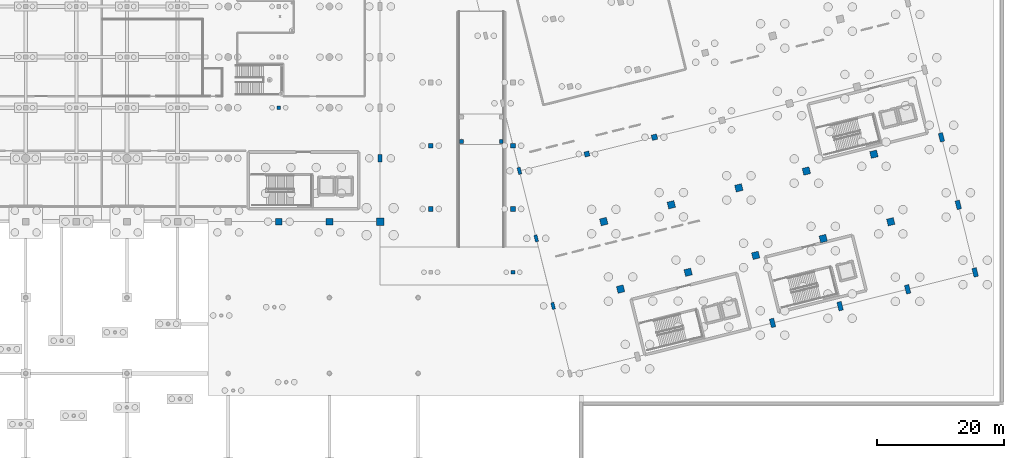
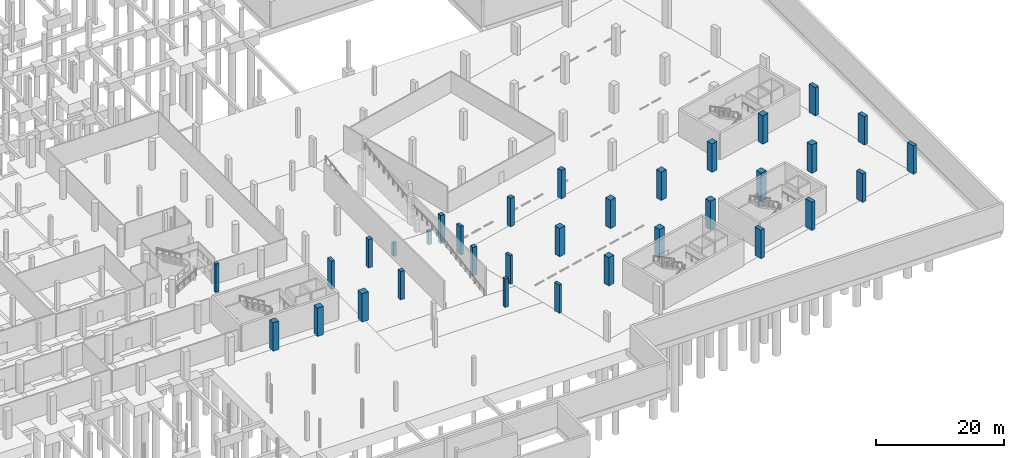
# One storey, part 34 of 65: 33 columns.
"""IFC4 building model written with IfcOpenShell, lengths in metres."""

from ifc_helpers import new_model, si_unit, direction, frame, origin, origin_2d, place, context, subcontext, project, spatial, rectangle, extrude, material, material_profile, profile_set, type_object, element, save


model = new_model("IFC4")

# Units and contexts
model_context = context("Model", 3, precision=1e-05, world=origin(), true_north=direction((0.0, 1.0)))
body_context = subcontext(model_context, "Body", "Model", "MODEL_VIEW")
ifc_project = project(units=[si_unit("LENGTHUNIT", "METRE"), si_unit("AREAUNIT", "SQUARE_METRE"), si_unit("VOLUMEUNIT", "CUBIC_METRE"), si_unit("PLANEANGLEUNIT", "RADIAN"), si_unit("MASSUNIT", "GRAM", prefix="KILO")], contexts=[model_context])

# Site, building, storey
site_placement = place(None, origin())
site = spatial("IfcSite", under=ifc_project, at=site_placement, CompositionType="ELEMENT")
building_placement = place(site_placement, origin())
building = spatial("IfcBuilding", under=site, at=building_placement, Name="Khorjan Park Terminus", CompositionType="ELEMENT")
storey_placement = place(building_placement, frame((0.0, 0.0, -5.4)))
storey = spatial("IfcBuildingStorey", under=building, at=storey_placement, Name="B1", CompositionType="ELEMENT", Elevation=-5.4)

# Columns
ifc_material_1 = material(Name="Concrete C50/60", Category="concrete")
ifc_material_profile_1 = material_profile(ifc_material_1, rectangle(XDim=0.5, YDim=1.1, at=origin_2d()), Name="RC 500x1100")
ifc_profile_set_1 = profile_set([ifc_material_profile_1], Name="Concrete C50/60")
column_type_1 = type_object("IfcColumnType", Name="COL-BL1100E", PredefinedType="COLUMN", material=ifc_profile_set_1)
for number, where, z_axis, x_axis, name in (
    (1, (163.339, 12.673, 0.0), (0.0, 0.0, 1.0), (0.970295726276, 0.2419218956, 0.0), "Structural column C-BL11 (B1 #665)"),
    (2, (160.678, 23.346, 0.0), (0.0, 0.0, 1.0), (0.970295726276, 0.2419218956, 0.0), "Structural column C-BL11 (B1 #669)"),
    (3, (158.017, 34.02, 0.0), (0.0, 0.0, 1.0), (0.970295726276, 0.2419218956, 0.0), "Structural column C-BL11 (B1 #673)"),
):
    element("IfcColumn", number, at=place(storey_placement, frame(where, z_axis=z_axis, x_axis=x_axis)), inside=storey, type_object=column_type_1, Name=name, PredefinedType="COLUMN", context=body_context, shape_type="SweptSolid", body=[
        extrude(rectangle(XDim=0.5, YDim=1.1, at=origin_2d()), origin(), (0.0, 0.0, 1.0), 5.4),
    ])
ifc_material_profile_2 = material_profile(ifc_material_1, rectangle(XDim=0.6, YDim=1.2, at=origin_2d()), Name="RC 600x1200")
ifc_profile_set_2 = profile_set([ifc_material_profile_2], Name="Concrete C50/60")
column_type_2 = type_object("IfcColumnType", Name="COL-BL1200", PredefinedType="COLUMN", material=ifc_profile_set_2)
column_1_placement = place(storey_placement, frame((136.0, 36.0, 0.0), z_axis=(0.0, 0.0, 1.0), x_axis=(1.0, 0.0, 0.0)))
element("IfcColumn", 4, at=column_1_placement, inside=storey, type_object=column_type_2, Name="Structural column C-BL12 (B1 #471)", PredefinedType="COLUMN", context=body_context, shape_type="SweptSolid", body=[
    extrude(rectangle(XDim=0.6, YDim=1.2, at=origin_2d()), origin(), (0.0, 0.0, 1.0), 5.4),
])
ifc_material_profile_3 = material_profile(ifc_material_1, rectangle(XDim=0.7, YDim=1.4, at=origin_2d()), Name="RC 700x1400")
ifc_profile_set_3 = profile_set([ifc_material_profile_3], Name="Concrete C50/60")
column_type_3 = type_object("IfcColumnType", Name="COL-BL1400E", PredefinedType="COLUMN", material=ifc_profile_set_3)
for number, where, z_axis, x_axis, name in (
    (5, (198.02, 9.983, 0.0), (0.0, 0.0, 1.0), (0.970295726276, 0.2419218956, 0.0), "Structural column C-BL14 (B1 #749)"),
    (6, (208.693, 12.645, 0.0), (0.0, 0.0, 1.0), (0.970295726276, 0.2419218956, 0.0), "Structural column C-BL14 (B1 #790)"),
    (7, (219.366, 15.306, 0.0), (0.0, 0.0, 1.0), (0.970295726276, 0.2419218956, 0.0), "Structural column C-BL14 (B1 #836)"),
    (8, (230.04, 17.967, 0.0), (0.0, 0.0, 1.0), (0.970295726276, 0.2419218956, 0.0), "Structural column C-BL14 (B1 #882)"),
    (9, (227.378, 28.64, 0.0), (0.0, 0.0, 1.0), (0.970295726276, 0.2419218956, 0.0), "Structural column C-BL14 (B1 #889)"),
    (10, (224.717, 39.313, 0.0), (0.0, 0.0, 1.0), (0.970295726276, 0.2419218956, 0.0), "Structural column C-BL14 (B1 #896)"),
):
    element("IfcColumn", number, at=place(storey_placement, frame(where, z_axis=z_axis, x_axis=x_axis)), inside=storey, type_object=column_type_3, Name=name, PredefinedType="COLUMN", context=body_context, shape_type="SweptSolid", body=[
        extrude(rectangle(XDim=0.7, YDim=1.4, at=origin_2d()), origin(), (0.0, 0.0, 1.0), 5.4),
    ])
ifc_material_profile_4 = material_profile(ifc_material_1, rectangle(XDim=1.05, YDim=1.05, at=origin_2d()), Name="RC 1050x1050")
ifc_profile_set_4 = profile_set([ifc_material_profile_4], Name="Concrete C50/60")
column_type_4 = type_object("IfcColumnType", Name="COL-RC1050", PredefinedType="COLUMN", material=ifc_profile_set_4)
for number, where, z_axis, x_axis, name in (
    (11, (120.0, 26.0, 0.0), (0.0, 0.0, 1.0), (1.0, 0.0, 0.0), "Structural column C-RC105 (B1 #426)"),
    (12, (128.0, 26.0, 0.0), (0.0, 0.0, 1.0), (1.0, 0.0, 0.0), "Structural column C-RC105 (B1 #441)"),
):
    element("IfcColumn", number, at=place(storey_placement, frame(where, z_axis=z_axis, x_axis=x_axis)), inside=storey, type_object=column_type_4, Name=name, PredefinedType="COLUMN", context=body_context, shape_type="SweptSolid", body=[
        extrude(rectangle(XDim=1.05, YDim=1.05, at=origin_2d()), origin(), (0.0, 0.0, 1.0), 5.4),
    ])
ifc_material_profile_5 = material_profile(ifc_material_1, rectangle(XDim=1.1, YDim=1.1, at=origin_2d()), Name="RC 1100x1100")
ifc_profile_set_5 = profile_set([ifc_material_profile_5], Name="Concrete C50/60")
column_type_5 = type_object("IfcColumnType", Name="COL-RC1100", PredefinedType="COLUMN", material=ifc_profile_set_5)
for number, where, z_axis, x_axis, name in (
    (13, (174.012, 15.334, 0.0), (0.0, 0.0, 1.0), (0.970295726276, 0.2419218956, 0.0), "Structural column C-RC11 (B1 #693)"),
    (14, (171.351, 26.008, 0.0), (0.0, 0.0, 1.0), (0.970295726276, 0.2419218956, 0.0), "Structural column C-RC11 (B1 #700)"),
    (15, (184.685, 17.995, 0.0), (0.0, 0.0, 1.0), (0.970295726276, 0.2419218956, 0.0), "Structural column C-RC11 (B1 #719)"),
    (16, (182.024, 28.669, 0.0), (0.0, 0.0, 1.0), (0.970295726276, 0.2419218956, 0.0), "Structural column C-RC11 (B1 #726)"),
    (17, (195.359, 20.657, 0.0), (0.0, 0.0, 1.0), (0.970295726276, 0.2419218956, 0.0), "Structural column C-RC11 (B1 #756)"),
    (18, (192.697, 31.33, 0.0), (0.0, 0.0, 1.0), (0.970295726276, 0.2419218956, 0.0), "Structural column C-RC11 (B1 #763)"),
    (19, (206.032, 23.318, 0.0), (0.0, 0.0, 1.0), (0.970295726276, 0.2419218956, 0.0), "Structural column C-RC11 (B1 #797)"),
    (20, (203.371, 33.991, 0.0), (0.0, 0.0, 1.0), (0.970295726276, 0.2419218956, 0.0), "Structural column C-RC11 (B1 #804)"),
    (21, (216.705, 25.979, 0.0), (0.0, 0.0, 1.0), (0.970295726276, 0.2419218956, 0.0), "Structural column C-RC11 (B1 #843)"),
    (22, (214.044, 36.652, 0.0), (0.0, 0.0, 1.0), (0.970295726276, 0.2419218956, 0.0), "Structural column C-RC11 (B1 #850)"),
):
    element("IfcColumn", number, at=place(storey_placement, frame(where, z_axis=z_axis, x_axis=x_axis)), inside=storey, type_object=column_type_5, Name=name, PredefinedType="COLUMN", context=body_context, shape_type="SweptSolid", body=[
        extrude(rectangle(XDim=1.1, YDim=1.1, at=origin_2d()), origin(), (0.0, 0.0, 1.0), 5.4),
    ])
ifc_material_profile_6 = material_profile(ifc_material_1, rectangle(XDim=1.2, YDim=1.2, at=origin_2d()), Name="RC 1200x1200")
ifc_profile_set_6 = profile_set([ifc_material_profile_6], Name="Concrete C50/60")
column_type_6 = type_object("IfcColumnType", Name="COL-RC1200", PredefinedType="COLUMN", material=ifc_profile_set_6)
column_2_placement = place(storey_placement, frame((136.0, 26.0, 0.0), z_axis=(0.0, 0.0, 1.0), x_axis=(1.0, 0.0, 0.0)))
element("IfcColumn", 23, at=column_2_placement, inside=storey, type_object=column_type_6, Name="Structural column C-RC12 (B1 #466)", PredefinedType="COLUMN", context=body_context, shape_type="SweptSolid", body=[
    extrude(rectangle(XDim=1.2, YDim=1.2, at=origin_2d()), origin(), (0.0, 0.0, 1.0), 5.4),
])
ifc_material_2 = material(Name="Concrete C40/50", Category="concrete")
ifc_material_profile_7 = material_profile(ifc_material_2, rectangle(XDim=0.6, YDim=0.6, at=origin_2d()), Name="RC 600x600")
ifc_profile_set_7 = profile_set([ifc_material_profile_7], Name="Concrete C40/50")
column_type_7 = type_object("IfcColumnType", Name="COL-RC600", PredefinedType="COLUMN", material=ifc_profile_set_7)
column_3_placement = place(storey_placement, frame((120.0, 44.0, 0.0), z_axis=(0.0, 0.0, 1.0), x_axis=(1.0, 0.0, 0.0)))
element("IfcColumn", 24, at=column_3_placement, inside=storey, type_object=column_type_7, Name="Structural column C-RC06 (B1 #431)", PredefinedType="COLUMN", context=body_context, shape_type="SweptSolid", body=[
    extrude(rectangle(XDim=0.6, YDim=0.6, at=origin_2d()), origin(), (0.0, 0.0, 1.0), 5.4),
])
for number, where, z_axis, x_axis, name in (
    (25, (148.85, 38.65, 0.0), (0.0, 0.0, 1.0), (1.0, 0.0, 0.0), "Structural column C-RC06 (B1 #538)"),
    (26, (155.15, 38.65, 0.0), (0.0, 0.0, 1.0), (1.0, 0.0, 0.0), "Structural column C-RC06 (B1 #540)"),
):
    element("IfcColumn", number, at=place(storey_placement, frame(where, z_axis=z_axis, x_axis=x_axis)), inside=storey, type_object=column_type_7, Name=name, PredefinedType="COLUMN", context=body_context, shape_type="SweptSolid", body=[
        extrude(rectangle(XDim=0.6, YDim=0.6, at=origin_2d()), origin(), (0.0, 0.0, 1.0), 2.48),
    ])
column_4_placement = place(storey_placement, frame((157.0, 18.0, 0.0), z_axis=(0.0, 0.0, 1.0), x_axis=(1.0, 0.0, 0.0)))
element("IfcColumn", 27, at=column_4_placement, inside=storey, type_object=column_type_7, Name="Structural column C-RC06 (B1 #948)", PredefinedType="COLUMN", context=body_context, shape_type="SweptSolid", body=[
    extrude(rectangle(XDim=0.6, YDim=0.6, at=origin_2d()), origin(), (0.0, 0.0, 1.0), 5.4),
])
ifc_material_profile_8 = material_profile(ifc_material_2, rectangle(XDim=0.75, YDim=0.75, at=origin_2d()), Name="RC 750x750")
ifc_profile_set_8 = profile_set([ifc_material_profile_8], Name="Concrete C40/50")
column_type_8 = type_object("IfcColumnType", Name="COL-RC750", PredefinedType="COLUMN", material=ifc_profile_set_8)
for number, where, z_axis, x_axis, name in (
    (28, (144.0, 28.0, 0.0), (0.0, 0.0, 1.0), (1.0, 0.0, 0.0), "Structural column C-RC75 (B1 #928)"),
    (29, (144.0, 38.0, 0.0), (0.0, 0.0, 1.0), (1.0, 0.0, 0.0), "Structural column C-RC75 (B1 #931)"),
    (30, (157.0, 28.0, 0.0), (0.0, 0.0, 1.0), (1.0, 0.0, 0.0), "Structural column C-RC75 (B1 #939)"),
    (31, (157.0, 38.0, 0.0), (0.0, 0.0, 1.0), (1.0, 0.0, 0.0), "Structural column C-RC75 (B1 #942)"),
):
    element("IfcColumn", number, at=place(storey_placement, frame(where, z_axis=z_axis, x_axis=x_axis)), inside=storey, type_object=column_type_8, Name=name, PredefinedType="COLUMN", context=body_context, shape_type="SweptSolid", body=[
        extrude(rectangle(XDim=0.75, YDim=0.75, at=origin_2d()), origin(), (0.0, 0.0, 1.0), 5.4),
    ])
ifc_material_profile_9 = material_profile(ifc_material_2, rectangle(XDim=0.8, YDim=0.8, at=origin_2d()), Name="RC 800x800")
ifc_profile_set_9 = profile_set([ifc_material_profile_9], Name="Concrete C40/50")
column_type_9 = type_object("IfcColumnType", Name="COL-RC800", PredefinedType="COLUMN", material=ifc_profile_set_9)
column_5_placement = place(storey_placement, frame((168.69, 36.681, 0.0), z_axis=(0.0, 0.0, 1.0), x_axis=(0.970295726276, 0.2419218956, 0.0)))
element("IfcColumn", 32, at=column_5_placement, inside=storey, type_object=column_type_9, Name="Structural column C-RC08 (B1 #707)", PredefinedType="COLUMN", context=body_context, shape_type="SweptSolid", body=[
    extrude(rectangle(XDim=0.8, YDim=0.8, at=origin_2d()), origin(), (0.0, 0.0, 1.0), 5.4),
])
ifc_material_profile_10 = material_profile(ifc_material_2, rectangle(XDim=0.85, YDim=0.85, at=origin_2d()), Name="RC 850x850")
ifc_profile_set_10 = profile_set([ifc_material_profile_10], Name="Concrete C40/50")
column_type_10 = type_object("IfcColumnType", Name="COL-RC850", PredefinedType="COLUMN", material=ifc_profile_set_10)
column_6_placement = place(storey_placement, frame((179.363, 39.342, 0.0), z_axis=(0.0, 0.0, 1.0), x_axis=(0.970295726276, 0.2419218956, 0.0)))
element("IfcColumn", 33, at=column_6_placement, inside=storey, type_object=column_type_10, Name="Structural column C-RC85 (B1 #733)", PredefinedType="COLUMN", context=body_context, shape_type="SweptSolid", body=[
    extrude(rectangle(XDim=0.85, YDim=0.85, at=origin_2d()), origin(), (0.0, 0.0, 1.0), 5.4),
])

save(model, "model.ifc")
